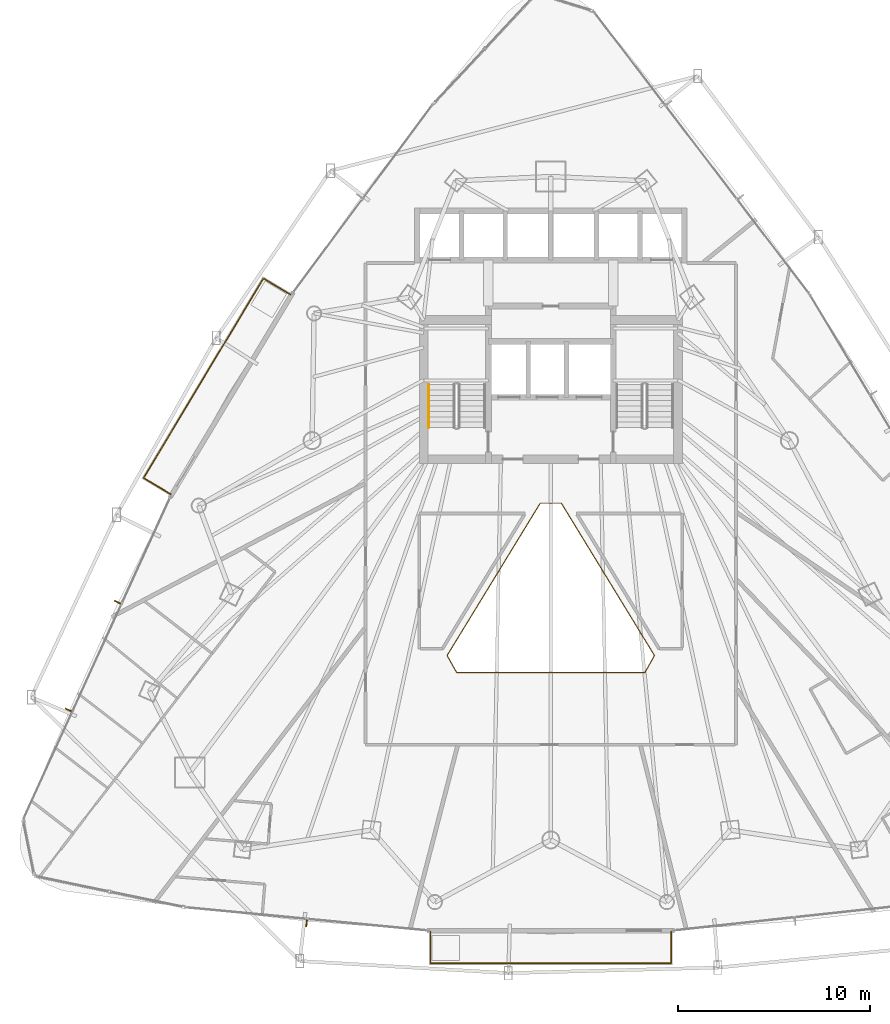
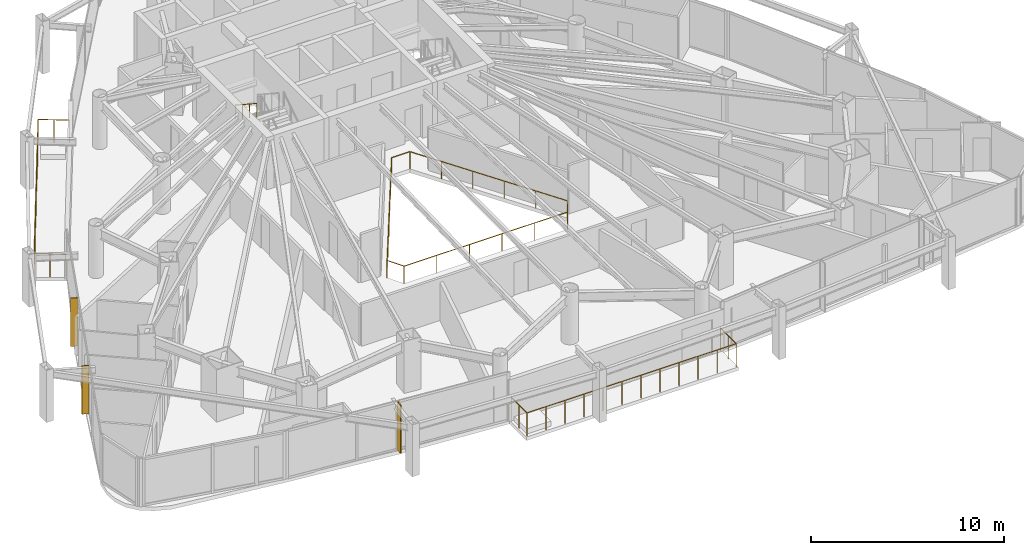
# One storey, part 32 of 34: 4 railings, 3 shading devices.
"""IFC4 building model written with IfcOpenShell, lengths in metres."""

from ifc_helpers import new_model, si_unit, direction, frame, origin, origin_2d, place, context, subcontext, project, spatial, rectangle, circle, extrude, material, layer, layer_set, type_object, element, save


model = new_model("IFC4")

# Units and contexts
model_context = context("Model", 3, precision=1e-05, world=origin(), true_north=direction((0.0, 1.0)))
body_context = subcontext(model_context, "Body", "Model", "MODEL_VIEW")
ifc_project = project(units=[si_unit("LENGTHUNIT", "METRE"), si_unit("AREAUNIT", "SQUARE_METRE"), si_unit("VOLUMEUNIT", "CUBIC_METRE"), si_unit("PLANEANGLEUNIT", "RADIAN"), si_unit("MASSUNIT", "GRAM", prefix="KILO")], contexts=[model_context])

# Site, building, storey
site_placement = place(None, origin())
site = spatial("IfcSite", under=ifc_project, at=site_placement, CompositionType="ELEMENT")
building_placement = place(site_placement, origin())
building = spatial("IfcBuilding", under=site, at=building_placement, Name="Orvanel Arch Residences", CompositionType="ELEMENT")
storey_placement = place(building_placement, frame((0.0, 0.0, 77.449951171875)))
storey = spatial("IfcBuildingStorey", under=building, at=storey_placement, Name="L21", CompositionType="ELEMENT", Elevation=77.449951171875)

# Shading devices
ifc_material_1 = material(Name="Bronze-anodised aluminium AA6063-T6", Category="aluminium")
ifc_layer = layer(ifc_material_1, 0.06005859375)
ifc_layer_set = layer_set([ifc_layer], Name="Bronze-anodised aluminium AA6063-T6")
shading_device_type = type_object("IfcShadingDeviceType", Name="FIN-BRZ-380", PredefinedType="USERDEFINED", material=ifc_layer_set)
for number, where, z_axis, x_axis, name in (
    (1, (10.443115234375, 19.219970703125, 0.0), (0.0, 0.0, 1.0), (-0.909961270877, 0.414693242656, 0.0), "L21 Anodised Bronze Mullion FIN 01"),
    (2, (7.882080078125, 13.612060546875, 0.0), (0.0, 0.0, 1.0), (-0.909961270877, 0.414693242656, 0.0), "L21 Anodised Bronze Mullion FIN 02"),
    (3, (20.283935546875, 2.508056640625, 0.0), (0.0, 0.0, 1.0), (-0.09584575252, -0.995396198367, 0.0), "L21 Anodised Bronze Mullion FIN 01"),
):
    element("IfcShadingDevice", number, at=place(storey_placement, frame(where, z_axis=z_axis, x_axis=x_axis)), inside=storey, type_object=shading_device_type, Name=name, ObjectType="FIN", PredefinedType="USERDEFINED", context=body_context, shape_type="SweptSolid", body=[
        extrude(rectangle(XDim=0.3798828125, YDim=0.06005859375, at=origin_2d()), origin(), (0.0, 0.0, 1.0), 3.06005859375),
    ])

# Railings
railing_type_1 = type_object("IfcRailingType", Name="RL-ATR-1120", PredefinedType="BALUSTRADE", material=ifc_material_1)
railing_1_placement = place(storey_placement, frame((33.547119140625, 24.3798828125, 0.0)))
element("IfcRailing", 4, at=railing_1_placement, inside=storey, type_object=railing_type_1, Name="L21 Atrium Void Protective Balustrade", PredefinedType="BALUSTRADE", context=body_context, shape_type="SweptSolid", body=[
    extrude(circle(Radius=0.02392578125, at=origin_2d()), frame((-0.00146484375, 0.0, 1.09619140625), z_axis=(-1.0, 0.0, 0.0), x_axis=(0.0, -1.0, 0.0)), (0.0, 0.0, 1.0), 1.09130859375),
    extrude(circle(Radius=0.02392578125, at=origin_2d()), frame((-1.094970703125, -0.001220703125, 1.09619140625), z_axis=(-0.521576412235, -0.853204574648, 0.0), x_axis=(0.853204574648, -0.521576412235, 0.0)), (0.0, 0.0, 1.0), 9.293701171875),
    extrude(circle(Radius=0.02392578125, at=origin_2d()), frame((-5.9423828125, -7.93310546875, 1.09619140625), z_axis=(0.488429405974, -0.872603412427, 0.0), x_axis=(0.872603412427, 0.488429405974, 0.0)), (0.0, 0.0, 1.0), 1.022705078125),
    extrude(circle(Radius=0.02392578125, at=origin_2d()), frame((-5.440673828125, -8.826904296875, 1.09619140625), z_axis=(1.0, 0.0, 0.0), x_axis=(0.0, 1.0, 0.0)), (0.0, 0.0, 1.0), 9.787109375),
    extrude(circle(Radius=0.02392578125, at=origin_2d()), frame((4.3486328125, -8.82568359375, 1.09619140625), z_axis=(0.488429405974, 0.872603412427, 0.0), x_axis=(-0.872603412427, 0.488429405974, 0.0)), (0.0, 0.0, 1.0), 1.022705078125),
    extrude(circle(Radius=0.02392578125, at=origin_2d()), frame((4.84814453125, -7.9306640625, 1.09619140625), z_axis=(-0.521576412235, 0.853204574648, 0.0), x_axis=(-0.853204574648, -0.521576412235, 0.0)), (0.0, 0.0, 1.0), 9.293701171875),
    extrude(circle(Radius=0.02099609375, at=origin_2d()), origin(), (0.0, 0.0, 1.0), 1.070068359375),
    extrude(circle(Radius=0.02099609375, at=origin_2d()), frame((-1.09423828125, 0.0, 0.0)), (0.0, 0.0, 1.0), 1.070068359375),
    extrude(circle(Radius=0.02099609375, at=origin_2d()), frame((-2.06396484375, -1.58642578125, 0.0)), (0.0, 0.0, 1.0), 1.070068359375),
    extrude(circle(Radius=0.02099609375, at=origin_2d()), frame((-3.03369140625, -3.1728515625, 0.0)), (0.0, 0.0, 1.0), 1.070068359375),
    extrude(circle(Radius=0.02099609375, at=origin_2d()), frame((-4.003662109375, -4.759033203125, 0.0)), (0.0, 0.0, 1.0), 1.070068359375),
    extrude(circle(Radius=0.02099609375, at=origin_2d()), frame((-4.973388671875, -6.345458984375, 0.0)), (0.0, 0.0, 1.0), 1.070068359375),
    extrude(circle(Radius=0.02099609375, at=origin_2d()), frame((-5.943115234375, -7.931884765625, 0.0)), (0.0, 0.0, 1.0), 1.070068359375),
    extrude(circle(Radius=0.02099609375, at=origin_2d()), frame((-5.442138671875, -8.826904296875, 0.0)), (0.0, 0.0, 1.0), 1.070068359375),
    extrude(circle(Radius=0.02099609375, at=origin_2d()), frame((-3.484130859375, -8.826904296875, 0.0)), (0.0, 0.0, 1.0), 1.070068359375),
    extrude(circle(Radius=0.02099609375, at=origin_2d()), frame((-1.526123046875, -8.826904296875, 0.0)), (0.0, 0.0, 1.0), 1.070068359375),
    extrude(circle(Radius=0.02099609375, at=origin_2d()), frame((0.431884765625, -8.826904296875, 0.0)), (0.0, 0.0, 1.0), 1.070068359375),
    extrude(circle(Radius=0.02099609375, at=origin_2d()), frame((2.389892578125, -8.826904296875, 0.0)), (0.0, 0.0, 1.0), 1.070068359375),
    extrude(circle(Radius=0.02099609375, at=origin_2d()), frame((4.347900390625, -8.826904296875, 0.0)), (0.0, 0.0, 1.0), 1.070068359375),
    extrude(circle(Radius=0.02099609375, at=origin_2d()), frame((4.848876953125, -7.931884765625, 0.0)), (0.0, 0.0, 1.0), 1.070068359375),
    extrude(circle(Radius=0.02099609375, at=origin_2d()), frame((3.879150390625, -6.345458984375, 0.0)), (0.0, 0.0, 1.0), 1.070068359375),
    extrude(circle(Radius=0.02099609375, at=origin_2d()), frame((2.909423828125, -4.759033203125, 0.0)), (0.0, 0.0, 1.0), 1.070068359375),
    extrude(circle(Radius=0.02099609375, at=origin_2d()), frame((1.939453125, -3.1728515625, 0.0)), (0.0, 0.0, 1.0), 1.070068359375),
    extrude(circle(Radius=0.02099609375, at=origin_2d()), frame((0.9697265625, -1.58642578125, 0.0)), (0.0, 0.0, 1.0), 1.070068359375),
])
railing_type_2 = type_object("IfcRailingType", Name="RL-BAL-1480", PredefinedType="BALUSTRADE", material=ifc_material_1)
railing_2_placement = place(storey_placement, frame((19.43310546875, 35.248046875, 0.0)))
element("IfcRailing", 5, at=railing_2_placement, inside=storey, type_object=railing_type_2, Name="L21 Balcony Perimeter Guardrail Face 1", PredefinedType="BALUSTRADE", context=body_context, shape_type="SweptSolid", body=[
    extrude(circle(Radius=0.02392578125, at=origin_2d()), frame((-0.001220703125, 0.000732421875, 1.4560546875), z_axis=(-0.857387817543, 0.514670895164, 0.0), x_axis=(-0.514670895164, -0.857387817543, 0.0)), (0.0, 0.0, 1.0), 1.636962890625),
    extrude(circle(Radius=0.02392578125, at=origin_2d()), frame((-1.40673828125, 0.8427734375, 1.4560546875), z_axis=(-0.514392066285, -0.857555130673, 0.0), x_axis=(0.857555130673, -0.514392066285, 0.0)), (0.0, 0.0, 1.0), 12.116455078125),
    extrude(circle(Radius=0.02392578125, at=origin_2d()), frame((-7.638916015625, -9.5498046875, 1.4560546875), z_axis=(0.857545439568, -0.514408222208, 0.0), x_axis=(0.514408222208, 0.857545439568, 0.0)), (0.0, 0.0, 1.0), 1.6376953125),
    extrude(circle(Radius=0.02099609375, at=origin_2d()), origin(), (0.0, 0.0, 1.0), 1.429931640625),
    extrude(circle(Radius=0.02099609375, at=origin_2d()), frame((-0.703125, 0.421875, 0.0)), (0.0, 0.0, 1.0), 1.429931640625),
    extrude(circle(Radius=0.02099609375, at=origin_2d()), frame((-1.406005859375, 0.843994140625, 0.0)), (0.0, 0.0, 1.0), 1.429931640625),
    extrude(circle(Radius=0.02099609375, at=origin_2d()), frame((-1.97265625, -0.100830078125, 0.0)), (0.0, 0.0, 1.0), 1.429931640625),
    extrude(circle(Radius=0.02099609375, at=origin_2d()), frame((-2.53955078125, -1.045654296875, 0.0)), (0.0, 0.0, 1.0), 1.429931640625),
    extrude(circle(Radius=0.02099609375, at=origin_2d()), frame((-3.106201171875, -1.990478515625, 0.0)), (0.0, 0.0, 1.0), 1.429931640625),
    extrude(circle(Radius=0.02099609375, at=origin_2d()), frame((-3.6728515625, -2.935302734375, 0.0)), (0.0, 0.0, 1.0), 1.429931640625),
    extrude(circle(Radius=0.02099609375, at=origin_2d()), frame((-4.23974609375, -3.880126953125, 0.0)), (0.0, 0.0, 1.0), 1.429931640625),
    extrude(circle(Radius=0.02099609375, at=origin_2d()), frame((-4.806396484375, -4.824951171875, 0.0)), (0.0, 0.0, 1.0), 1.429931640625),
    extrude(circle(Radius=0.02099609375, at=origin_2d()), frame((-5.373291015625, -5.769775390625, 0.0)), (0.0, 0.0, 1.0), 1.429931640625),
    extrude(circle(Radius=0.02099609375, at=origin_2d()), frame((-5.93994140625, -6.714599609375, 0.0)), (0.0, 0.0, 1.0), 1.429931640625),
    extrude(circle(Radius=0.02099609375, at=origin_2d()), frame((-6.506591796875, -7.659423828125, 0.0)), (0.0, 0.0, 1.0), 1.429931640625),
    extrude(circle(Radius=0.02099609375, at=origin_2d()), frame((-7.073486328125, -8.604248046875, 0.0)), (0.0, 0.0, 1.0), 1.429931640625),
    extrude(circle(Radius=0.02099609375, at=origin_2d()), frame((-7.64013671875, -9.549072265625, 0.0)), (0.0, 0.0, 1.0), 1.429931640625),
    extrude(circle(Radius=0.02099609375, at=origin_2d()), frame((-6.9365234375, -9.97119140625, 0.0)), (0.0, 0.0, 1.0), 1.429931640625),
    extrude(circle(Radius=0.02099609375, at=origin_2d()), frame((-6.233154296875, -10.39306640625, 0.0)), (0.0, 0.0, 1.0), 1.429931640625),
])
railing_3_placement = place(storey_placement, frame((26.73193359375, 2.05810546875, 0.0)))
element("IfcRailing", 6, at=railing_3_placement, inside=storey, type_object=railing_type_2, Name="L21 Balcony Perimeter Guardrail Face 2", PredefinedType="BALUSTRADE", context=body_context, shape_type="SweptSolid", body=[
    extrude(circle(Radius=0.02392578125, at=origin_2d()), frame((0.0, -0.00146484375, 1.4560546875), z_axis=(0.0, -1.0, 0.0), x_axis=(1.0, 0.0, 0.0)), (0.0, 0.0, 1.0), 1.63720703125),
    extrude(circle(Radius=0.02392578125, at=origin_2d()), frame((0.00146484375, -1.64013671875, 1.4560546875), z_axis=(1.0, 0.0, 0.0), x_axis=(0.0, 1.0, 0.0)), (0.0, 0.0, 1.0), 12.5322265625),
    extrude(circle(Radius=0.02392578125, at=origin_2d()), frame((12.53515625, -1.638671875, 1.4560546875), z_axis=(0.0, 1.0, 0.0), x_axis=(-1.0, 0.0, 0.0)), (0.0, 0.0, 1.0), 1.63720703125),
    extrude(circle(Radius=0.02099609375, at=origin_2d()), origin(), (0.0, 0.0, 1.0), 1.429931640625),
    extrude(circle(Radius=0.02099609375, at=origin_2d()), frame((0.0, -0.820068359375, 0.0)), (0.0, 0.0, 1.0), 1.429931640625),
    extrude(circle(Radius=0.02099609375, at=origin_2d()), frame((0.0, -1.64013671875, 0.0)), (0.0, 0.0, 1.0), 1.429931640625),
    extrude(circle(Radius=0.02099609375, at=origin_2d()), frame((1.1396484375, -1.64013671875, 0.0)), (0.0, 0.0, 1.0), 1.429931640625),
    extrude(circle(Radius=0.02099609375, at=origin_2d()), frame((2.279052734375, -1.64013671875, 0.0)), (0.0, 0.0, 1.0), 1.429931640625),
    extrude(circle(Radius=0.02099609375, at=origin_2d()), frame((3.418701171875, -1.64013671875, 0.0)), (0.0, 0.0, 1.0), 1.429931640625),
    extrude(circle(Radius=0.02099609375, at=origin_2d()), frame((4.558349609375, -1.64013671875, 0.0)), (0.0, 0.0, 1.0), 1.429931640625),
    extrude(circle(Radius=0.02099609375, at=origin_2d()), frame((5.69775390625, -1.64013671875, 0.0)), (0.0, 0.0, 1.0), 1.429931640625),
    extrude(circle(Radius=0.02099609375, at=origin_2d()), frame((6.83740234375, -1.64013671875, 0.0)), (0.0, 0.0, 1.0), 1.429931640625),
    extrude(circle(Radius=0.02099609375, at=origin_2d()), frame((7.976806640625, -1.64013671875, 0.0)), (0.0, 0.0, 1.0), 1.429931640625),
    extrude(circle(Radius=0.02099609375, at=origin_2d()), frame((9.116455078125, -1.64013671875, 0.0)), (0.0, 0.0, 1.0), 1.429931640625),
    extrude(circle(Radius=0.02099609375, at=origin_2d()), frame((10.256103515625, -1.64013671875, 0.0)), (0.0, 0.0, 1.0), 1.429931640625),
    extrude(circle(Radius=0.02099609375, at=origin_2d()), frame((11.3955078125, -1.64013671875, 0.0)), (0.0, 0.0, 1.0), 1.429931640625),
    extrude(circle(Radius=0.02099609375, at=origin_2d()), frame((12.53515625, -1.64013671875, 0.0)), (0.0, 0.0, 1.0), 1.429931640625),
    extrude(circle(Radius=0.02099609375, at=origin_2d()), frame((12.53515625, -0.820068359375, 0.0)), (0.0, 0.0, 1.0), 1.429931640625),
    extrude(circle(Radius=0.02099609375, at=origin_2d()), frame((12.53515625, 0.0, 0.0)), (0.0, 0.0, 1.0), 1.429931640625),
])
ifc_material_2 = material(Name="Structural steel AS/NZS 1163 C350L0 (Grade 350)", Category="steel")
railing_type_3 = type_object("IfcRailingType", Name="RL-STAIR-HAND", PredefinedType="HANDRAIL", material=ifc_material_2)
railing_4_placement = place(storey_placement, frame((26.64990234375, 30.56005859375, 1.83349609375)))
element("IfcRailing", 7, at=railing_4_placement, inside=storey, type_object=railing_type_3, Name="L21 ST-1 stair handrail 2", PredefinedType="HANDRAIL", context=body_context, shape_type="SweptSolid", body=[
    extrude(circle(Radius=0.02392578125, at=origin_2d()), frame((0.0, -0.001220703125, 0.876708984375), z_axis=(0.0, -0.836636935527, 0.547757827979), x_axis=(1.0, 0.0, 0.0)), (0.0, 0.0, 1.0), 2.67431640625),
    extrude(circle(Radius=0.02099609375, at=origin_2d()), origin(), (0.0, 0.0, 1.0), 0.849853515625),
    extrude(circle(Radius=0.02099609375, at=origin_2d()), frame((0.0, -0.74658203125, 0.48876953125)), (0.0, 0.0, 1.0), 0.849853515625),
    extrude(circle(Radius=0.02099609375, at=origin_2d()), frame((0.0, -1.493408203125, 0.977783203125)), (0.0, 0.0, 1.0), 0.849853515625),
    extrude(circle(Radius=0.02099609375, at=origin_2d()), frame((0.0, -2.239990234375, 1.466552734375)), (0.0, 0.0, 1.0), 0.849853515625),
])

save(model, "model.ifc")
